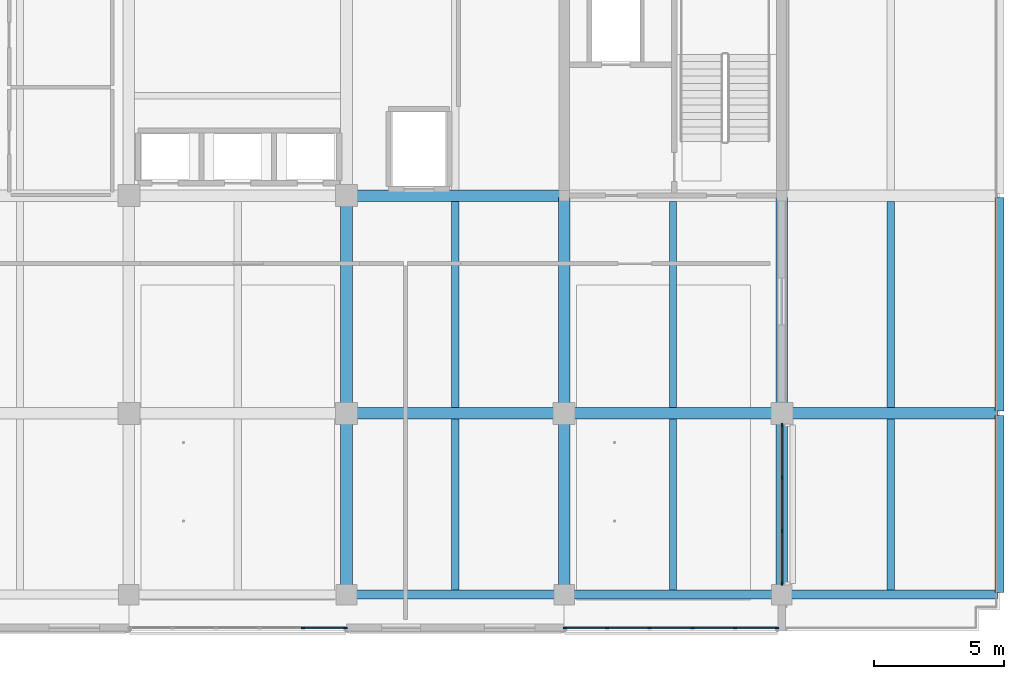
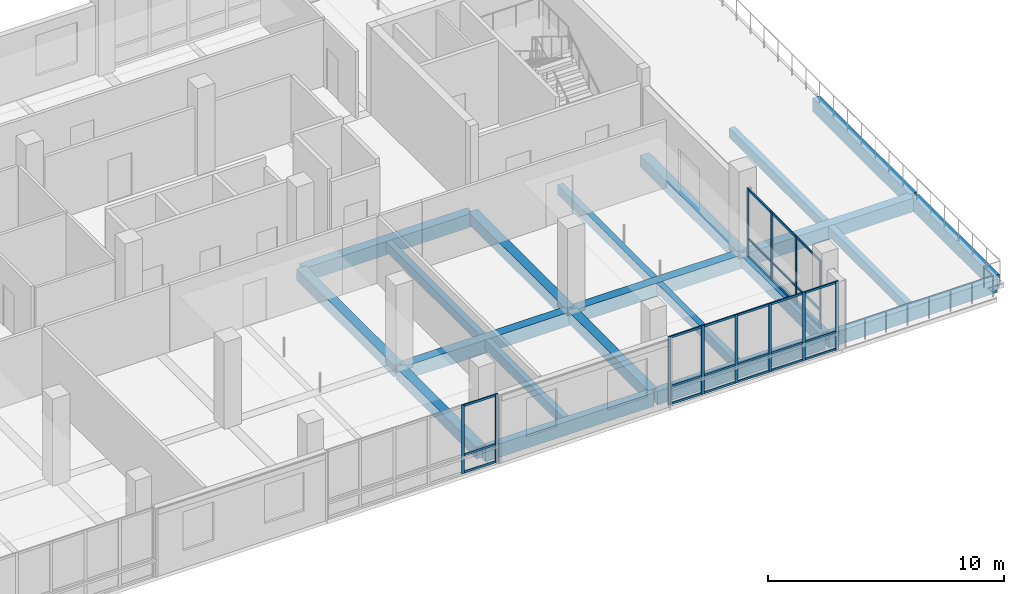
# One storey, part 6 of 36: 39 members, 21 beams, 3 elements without a shape of their own.
"""IFC4 building model written with IfcOpenShell, lengths in metres."""

import ifcopenshell
import ifcopenshell.guid

model = None  # the IFC model being written
_history = None  # IfcOwnerHistory: only IFC2X3 demands one
_inside = {}  # id of a spatial element -> (the spatial element, [elements in it])
_under = {}  # id of a project, library or spatial element -> (it, [spatial elements below it])
_declared = {}  # id of a project -> (the project, [libraries it declares])
_typed = {}  # id of a type object -> (the type object, [elements of that type])
_made_of = {}  # id of a material, layer set ... -> (it, [elements and type objects made of it])


def new_model(schema):
    """Start an empty IFC model of exactly this schema.

    Asked for "IFC4X3", IfcOpenShell would pick the latest addendum, in which some entities
    have other attributes; the version numbers below select the first issue.
    IFC2X3 requires an IfcOwnerHistory on every rooted entity: one is made here for all.
    """
    global model, _history
    if schema == "IFC4X3":
        model = ifcopenshell.file(schema_version=(4, 3, 0, 0))
    else:
        model = ifcopenshell.file(schema=schema)
    _inside.clear()
    _under.clear()
    _declared.clear()
    _typed.clear()
    _made_of.clear()
    _history = None
    if model.schema == "IFC2X3":
        org = make("IfcOrganization", Name="unknown")
        user = make(
            "IfcPersonAndOrganization",
            ThePerson=make("IfcPerson", FamilyName="unknown"),
            TheOrganization=org,
        )
        app = make(
            "IfcApplication",
            ApplicationDeveloper=org,
            Version="unknown",
            ApplicationFullName="unknown",
            ApplicationIdentifier="unknown",
        )
        _history = make(
            "IfcOwnerHistory",
            OwningUser=user,
            OwningApplication=app,
            ChangeAction="ADDED",
            CreationDate=0,
        )
    return model


def make(cls, **values):
    """One entity of the class cls with the attributes given. An attribute that is None is left unset."""
    return model.create_entity(
        cls, **{name: value for name, value in values.items() if value is not None}
    )


def rooted(cls, **values):
    """An entity with a GlobalId (a new one), such as an element, a storey or a relation."""
    return make(cls, GlobalId=ifcopenshell.guid.new(), OwnerHistory=_history, **values)


def si_unit(unit_type, name, prefix=None):
    """IfcSIUnit, for example si_unit("LENGTHUNIT", "METRE", prefix="MILLI")."""
    return make("IfcSIUnit", UnitType=unit_type, Prefix=prefix, Name=name)


def assignment(units):
    """IfcUnitAssignment: the units of a project."""
    return None if units is None else make("IfcUnitAssignment", Units=units)


def point(xyz):
    """IfcCartesianPoint."""
    return None if xyz is None else make("IfcCartesianPoint", Coordinates=xyz)


def direction(xyz):
    """IfcDirection."""
    return None if xyz is None else make("IfcDirection", DirectionRatios=xyz)


def frame(location, z_axis=None, x_axis=None):
    """IfcAxis2Placement3D, a coordinate frame: its origin and axes. An axis left out is left unset."""
    return make(
        "IfcAxis2Placement3D",
        Location=point(location),
        Axis=direction(z_axis),
        RefDirection=direction(x_axis),
    )


def frame_2d(location, x_axis=None):
    """IfcAxis2Placement2D, a coordinate frame in the plane: its origin and x axis."""
    return make(
        "IfcAxis2Placement2D", Location=point(location), RefDirection=direction(x_axis)
    )


def origin():
    """The frame at (0, 0, 0) with its axes left unset."""
    return frame((0.0, 0.0, 0.0))


def origin_2d():
    """The frame at (0, 0) in the plane with its x axis left unset."""
    return frame_2d((0.0, 0.0))


def place(relative_to, where):
    """IfcLocalPlacement: puts the frame where relative to a parent placement (None: the world)."""
    return make(
        "IfcLocalPlacement", PlacementRelTo=relative_to, RelativePlacement=where
    )


def context(
    kind, dimensions, precision=None, world=None, true_north=None, identifier=None
):
    """IfcGeometricRepresentationContext, for example the 3D "Model" context."""
    return make(
        "IfcGeometricRepresentationContext",
        ContextIdentifier=identifier,
        ContextType=kind,
        CoordinateSpaceDimension=dimensions,
        Precision=precision,
        WorldCoordinateSystem=world,
        TrueNorth=true_north,
    )


def subcontext(parent, identifier, kind, view, scale=None):
    """IfcGeometricRepresentationSubContext, for example "Body" below "Model"."""
    return make(
        "IfcGeometricRepresentationSubContext",
        ContextIdentifier=identifier,
        ContextType=kind,
        ParentContext=parent,
        TargetScale=scale,
        TargetView=view,
    )


def project(units=None, contexts=None):
    """IfcProject with its units and contexts."""
    return rooted(
        "IfcProject",
        Name="project",
        RepresentationContexts=contexts,
        UnitsInContext=assignment(units),
    )


def spatial(cls, under=None, at=None, **own):
    """A site, building, storey or space (cls), placed at a placement, below another one or the project."""
    s = rooted(cls, ObjectPlacement=at, **own)
    if under is not None:
        _under.setdefault(under.id(), (under, []))[1].append(s)
    return s


def profile(cls, at=None, kind="AREA", **sizes):
    """A parametric profile (cls). Its sizes go by their IFC names, for example OverallWidth=200.0."""
    return make(cls, ProfileType=kind, Position=at, **sizes)


def rectangle(**sizes):
    """IfcRectangleProfileDef."""
    return profile("IfcRectangleProfileDef", **sizes)


def extrude(swept, where, along, depth):
    """IfcExtrudedAreaSolid: the profile swept, set in the frame where, extruded along a direction by depth."""
    return make(
        "IfcExtrudedAreaSolid",
        SweptArea=swept,
        Position=where,
        ExtrudedDirection=direction(along),
        Depth=depth,
    )


def shape(context_of_items, identifier, shape_type, items):
    """IfcShapeRepresentation: the items that make up one representation, for example the "Body"."""
    return make(
        "IfcShapeRepresentation",
        ContextOfItems=context_of_items,
        RepresentationIdentifier=identifier,
        RepresentationType=shape_type,
        Items=items,
    )


def material(Name=None, Category=None):
    """IfcMaterial."""
    return make("IfcMaterial", Name=Name, Category=Category)


def layer(
    of_material, thickness, ventilated=None, Name=None, Category=None, Priority=None
):
    """IfcMaterialLayer: one layer of a wall or slab, of a material (None: an air gap)."""
    return make(
        "IfcMaterialLayer",
        Material=of_material,
        LayerThickness=thickness,
        IsVentilated=ventilated,
        Name=Name,
        Category=Category,
        Priority=Priority,
    )


def layer_set(layers, Name=None):
    """IfcMaterialLayerSet."""
    return make("IfcMaterialLayerSet", MaterialLayers=layers, LayerSetName=Name)


def material_profile(
    of_material, cross_section, Name=None, Category=None, Priority=None
):
    """IfcMaterialProfile: a cross section and its material."""
    return make(
        "IfcMaterialProfile",
        Name=Name,
        Material=of_material,
        Profile=cross_section,
        Priority=Priority,
        Category=Category,
    )


def profile_set(profiles, Name=None, composite=None):
    """IfcMaterialProfileSet."""
    return make(
        "IfcMaterialProfileSet",
        Name=Name,
        MaterialProfiles=profiles,
        CompositeProfile=composite,
    )


def made_of(thing, what):
    """Note that an element or type object is made of a material, layer set ...; save() writes the relation."""
    if what is not None:
        _made_of.setdefault(what.id(), (what, []))[1].append(thing)
    return thing


def type_object(cls, material=None, **own):
    """A type object (cls), such as IfcWallType, which elements share."""
    return made_of(rooted(cls, **own), material)


def element(
    cls,
    number,
    at=None,
    inside=None,
    cuts=None,
    type_object=None,
    material=None,
    context=None,
    identifier="Body",
    shape_type=None,
    held_by="IfcProductDefinitionShape",
    body=None,
    shapes=None,
    **own,
):
    """One element of the class cls, such as IfcWall. Its Tag is "e" and its number.

    at: its placement. inside: the storey or other place that contains it. cuts: it is an
    opening in that element (IfcRelVoidsElement). A single representation is given by context,
    identifier, shape_type and body (its items); several are given by shapes. held_by: the class
    of the entity that holds the representations. save() writes the other relations.
    """
    e = rooted(cls, Tag="e%d" % number, ObjectPlacement=at, **own)
    if body is not None:
        shapes = [shape(context, identifier, shape_type, body)]
    if shapes is not None:
        e.Representation = make(held_by, Representations=shapes)
    if inside is not None:
        _inside.setdefault(inside.id(), (inside, []))[1].append(e)
    if cuts is not None:
        rooted(
            "IfcRelVoidsElement", RelatingBuildingElement=cuts, RelatedOpeningElement=e
        )
    if type_object is not None:
        _typed.setdefault(type_object.id(), (type_object, []))[1].append(e)
    return made_of(e, material)


def aggregate(whole, parts):
    """IfcRelAggregates: a whole, such as a stair, and the parts it consists of."""
    return rooted("IfcRelAggregates", RelatingObject=whole, RelatedObjects=parts)


def save(model, path):
    """Write the relations noted so far, then the file.

    IfcRelAggregates (storeys below a building ...), IfcRelContainedInSpatialStructure (elements
    in a storey), IfcRelDefinesByType, IfcRelAssociatesMaterial and IfcRelDeclares: one each for
    every whole, place, type object, material and project.
    """
    for whole, parts in _under.values():
        aggregate(whole, parts)
    for where, things in _inside.values():
        rooted(
            "IfcRelContainedInSpatialStructure",
            RelatedElements=things,
            RelatingStructure=where,
        )
    for kind, things in _typed.values():
        rooted("IfcRelDefinesByType", RelatedObjects=things, RelatingType=kind)
    for what, things in _made_of.values():
        rooted("IfcRelAssociatesMaterial", RelatedObjects=things, RelatingMaterial=what)
    for by, libraries in _declared.values():
        rooted("IfcRelDeclares", RelatingContext=by, RelatedDefinitions=libraries)
    model.write(path)


model = new_model("IFC4")

# Units and contexts
model_context = context("Model", 3, precision=1e-05, world=origin(), true_north=direction((0.0, 1.0)))
body_context = subcontext(model_context, "Body", "Model", "MODEL_VIEW")
ifc_project = project(units=[si_unit("LENGTHUNIT", "METRE"), si_unit("AREAUNIT", "SQUARE_METRE"), si_unit("VOLUMEUNIT", "CUBIC_METRE"), si_unit("PLANEANGLEUNIT", "RADIAN"), si_unit("MASSUNIT", "GRAM", prefix="KILO")], contexts=[model_context])

# Site, building, storey
site_placement = place(None, origin())
site = spatial("IfcSite", under=ifc_project, at=site_placement, CompositionType="ELEMENT")
building_placement = place(site_placement, origin())
building = spatial("IfcBuilding", under=site, at=building_placement, Name="Telukmera Botanical Conservatory", CompositionType="ELEMENT")
storey_placement = place(building_placement, frame((0.0, 0.0, 33.0)))
storey = spatial("IfcBuildingStorey", under=building, at=storey_placement, Name="L07", CompositionType="ELEMENT", Elevation=33.0)

# Beams
ifc_material_1 = material(Name="Concrete C40/50", Category="concrete")
ifc_material_profile_1 = material_profile(ifc_material_1, rectangle(XDim=0.449951171875, YDim=0.699951171875, at=origin_2d()), Name="RC 450x700")
ifc_profile_set_1 = profile_set([ifc_material_profile_1], Name="Concrete C40/50")
beam_type_1 = type_object("IfcBeamType", Name="Beam_B15", PredefinedType="BEAM", material=ifc_profile_set_1)
for number, where, z_axis, x_axis, name in (
    (1, (84.080078125, 17.60009765625, -0.35009765625), (1.0, 0.0, 0.0), (0.0, 1.0, 0.0), "Tower Grid Beam L07"),
    (2, (92.47998046875, 17.60009765625, -0.35009765625), (1.0, 0.0, 0.0), (0.0, 1.0, 0.0), "Tower Grid Beam L07"),
):
    element("IfcBeam", number, at=place(storey_placement, frame(where, z_axis=z_axis, x_axis=x_axis)), inside=storey, type_object=beam_type_1, Name=name, PredefinedType="BEAM", context=body_context, shape_type="SweptSolid", body=[
        extrude(rectangle(XDim=0.449951171875, YDim=0.699951171875, at=origin_2d()), origin(), (0.0, 0.0, 1.0), 8.239990234375),
    ])
beam_1_placement = place(storey_placement, frame((100.8798828125, 17.60009765625, -0.35009765625), z_axis=(1.0, 0.0, 0.0), x_axis=(0.0, 1.0, 0.0)))
element("IfcBeam", 3, at=beam_1_placement, inside=storey, type_object=beam_type_1, Name="Tower Grid Beam L07", PredefinedType="BEAM", context=body_context, shape_type="SweptSolid", body=[
    extrude(rectangle(XDim=0.449951171875, YDim=0.699951171875, at=origin_2d()), origin(), (0.0, 0.0, 1.0), 8.240234375),
])
beam_2_placement = place(storey_placement, frame((84.080078125, 26.0, -0.35009765625), z_axis=(1.0, 0.0, 0.0), x_axis=(0.0, 1.0, 0.0)))
element("IfcBeam", 4, at=beam_2_placement, inside=storey, type_object=beam_type_1, Name="Tower Grid Beam L07", PredefinedType="BEAM", context=body_context, shape_type="SweptSolid", body=[
    extrude(rectangle(XDim=0.449951171875, YDim=0.699951171875, at=origin_2d()), origin(), (0.0, 0.0, 1.0), 8.239990234375),
])
ifc_material_profile_2 = material_profile(ifc_material_1, rectangle(XDim=0.449951171875, YDim=0.60009765625, at=origin_2d()), Name="RC 450x600")
ifc_profile_set_2 = profile_set([ifc_material_profile_2], Name="Concrete C40/50")
beam_type_2 = type_object("IfcBeamType", Name="Beam_B17", PredefinedType="BEAM", material=ifc_profile_set_2)
beam_3_placement = place(storey_placement, frame((84.0, 10.679931640625, -0.300048828125), z_axis=(0.0, 1.0, 0.0), x_axis=(-1.0, 0.0, 0.0)))
element("IfcBeam", 5, at=beam_3_placement, inside=storey, type_object=beam_type_2, Name="Tower Transverse Beam L07", PredefinedType="BEAM", context=body_context, shape_type="SweptSolid", body=[
    extrude(rectangle(XDim=0.449951171875, YDim=0.60009765625, at=origin_2d()), origin(), (0.0, 0.0, 1.0), 6.840087890625),
])
beam_4_placement = place(storey_placement, frame((84.0, 17.679931640625, -0.300048828125), z_axis=(0.0, 1.0, 0.0), x_axis=(-1.0, 0.0, 0.0)))
element("IfcBeam", 6, at=beam_4_placement, inside=storey, type_object=beam_type_2, Name="Tower Transverse Beam L07", PredefinedType="BEAM", context=body_context, shape_type="SweptSolid", body=[
    extrude(rectangle(XDim=0.449951171875, YDim=0.60009765625, at=origin_2d()), origin(), (0.0, 0.0, 1.0), 8.239990234375),
])
beam_5_placement = place(storey_placement, frame((92.39990234375, 10.679931640625, -0.300048828125), z_axis=(0.0, 1.0, 0.0), x_axis=(-1.0, 0.0, 0.0)))
element("IfcBeam", 7, at=beam_5_placement, inside=storey, type_object=beam_type_2, Name="Tower Transverse Beam L07", PredefinedType="BEAM", context=body_context, shape_type="SweptSolid", body=[
    extrude(rectangle(XDim=0.449951171875, YDim=0.60009765625, at=origin_2d()), origin(), (0.0, 0.0, 1.0), 6.840087890625),
])
beam_6_placement = place(storey_placement, frame((92.39990234375, 17.679931640625, -0.300048828125), z_axis=(0.0, 1.0, 0.0), x_axis=(-1.0, 0.0, 0.0)))
element("IfcBeam", 8, at=beam_6_placement, inside=storey, type_object=beam_type_2, Name="Tower Transverse Beam L07", PredefinedType="BEAM", context=body_context, shape_type="SweptSolid", body=[
    extrude(rectangle(XDim=0.449951171875, YDim=0.60009765625, at=origin_2d()), origin(), (0.0, 0.0, 1.0), 8.239990234375),
])
beam_7_placement = place(storey_placement, frame((100.800048828125, 10.679931640625, -0.300048828125), z_axis=(0.0, 1.0, 0.0), x_axis=(-1.0, 0.0, 0.0)))
element("IfcBeam", 9, at=beam_7_placement, inside=storey, type_object=beam_type_2, Name="Tower Transverse Beam L07", PredefinedType="BEAM", context=body_context, shape_type="SweptSolid", body=[
    extrude(rectangle(XDim=0.449951171875, YDim=0.60009765625, at=origin_2d()), origin(), (0.0, 0.0, 1.0), 6.840087890625),
])
beam_8_placement = place(storey_placement, frame((100.800048828125, 17.679931640625, -0.300048828125), z_axis=(0.0, 1.0, 0.0), x_axis=(-1.0, 0.0, 0.0)))
element("IfcBeam", 10, at=beam_8_placement, inside=storey, type_object=beam_type_2, Name="Tower Transverse Beam L07", PredefinedType="BEAM", context=body_context, shape_type="SweptSolid", body=[
    extrude(rectangle(XDim=0.449951171875, YDim=0.60009765625, at=origin_2d()), origin(), (0.0, 0.0, 1.0), 8.239990234375),
])
ifc_material_profile_3 = material_profile(ifc_material_1, rectangle(XDim=0.280029296875, YDim=0.5, at=origin_2d()), Name="RC 280x500")
ifc_profile_set_3 = profile_set([ifc_material_profile_3], Name="Concrete C40/50")
beam_type_3 = type_object("IfcBeamType", Name="Beam_B26", PredefinedType="JOIST", material=ifc_profile_set_3)
beam_9_placement = place(storey_placement, frame((88.199951171875, 10.77490234375, -0.25), z_axis=(0.0, 1.0, 0.0), x_axis=(-1.0, 0.0, 0.0)))
element("IfcBeam", 11, at=beam_9_placement, inside=storey, type_object=beam_type_3, Name="Tower Secondary Floor Joist L07", PredefinedType="JOIST", context=body_context, shape_type="SweptSolid", body=[
    extrude(rectangle(XDim=0.280029296875, YDim=0.5, at=origin_2d()), origin(), (0.0, 0.0, 1.0), 6.60009765625),
])
beam_10_placement = place(storey_placement, frame((88.199951171875, 17.824951171875, -0.25), z_axis=(0.0, 1.0, 0.0), x_axis=(-1.0, 0.0, 0.0)))
element("IfcBeam", 12, at=beam_10_placement, inside=storey, type_object=beam_type_3, Name="Tower Secondary Floor Joist L07", PredefinedType="JOIST", context=body_context, shape_type="SweptSolid", body=[
    extrude(rectangle(XDim=0.280029296875, YDim=0.5, at=origin_2d()), origin(), (0.0, 0.0, 1.0), 7.949951171875),
])
beam_11_placement = place(storey_placement, frame((96.60009765625, 10.77490234375, -0.25), z_axis=(0.0, 1.0, 0.0), x_axis=(-1.0, 0.0, 0.0)))
element("IfcBeam", 13, at=beam_11_placement, inside=storey, type_object=beam_type_3, Name="Tower Secondary Floor Joist L07", PredefinedType="JOIST", context=body_context, shape_type="SweptSolid", body=[
    extrude(rectangle(XDim=0.280029296875, YDim=0.5, at=origin_2d()), origin(), (0.0, 0.0, 1.0), 6.60009765625),
])
beam_12_placement = place(storey_placement, frame((96.60009765625, 17.824951171875, -0.25), z_axis=(0.0, 1.0, 0.0), x_axis=(-1.0, 0.0, 0.0)))
element("IfcBeam", 14, at=beam_12_placement, inside=storey, type_object=beam_type_3, Name="Tower Secondary Floor Joist L07", PredefinedType="JOIST", context=body_context, shape_type="SweptSolid", body=[
    extrude(rectangle(XDim=0.280029296875, YDim=0.5, at=origin_2d()), origin(), (0.0, 0.0, 1.0), 7.949951171875),
])
beam_13_placement = place(storey_placement, frame((105.0, 10.77490234375, -0.25), z_axis=(0.0, 1.0, 0.0), x_axis=(-1.0, 0.0, 0.0)))
element("IfcBeam", 15, at=beam_13_placement, inside=storey, type_object=beam_type_3, Name="Tower Secondary Floor Joist L07", PredefinedType="JOIST", context=body_context, shape_type="SweptSolid", body=[
    extrude(rectangle(XDim=0.280029296875, YDim=0.5, at=origin_2d()), origin(), (0.0, 0.0, 1.0), 6.60009765625),
])
beam_14_placement = place(storey_placement, frame((105.0, 17.824951171875, -0.25), z_axis=(0.0, 1.0, 0.0), x_axis=(-1.0, 0.0, 0.0)))
element("IfcBeam", 16, at=beam_14_placement, inside=storey, type_object=beam_type_3, Name="Tower Secondary Floor Joist L07", PredefinedType="JOIST", context=body_context, shape_type="SweptSolid", body=[
    extrude(rectangle(XDim=0.280029296875, YDim=0.5, at=origin_2d()), origin(), (0.0, 0.0, 1.0), 7.949951171875),
])
ifc_material_2 = material(Name="Precast concrete C40/50", Category="concrete")
ifc_material_profile_4 = material_profile(ifc_material_2, rectangle(XDim=0.35009765625, YDim=0.699951171875, at=origin_2d()), Name="PC 350x700")
ifc_profile_set_4 = profile_set([ifc_material_profile_4], Name="Precast concrete C40/50")
beam_type_4 = type_object("IfcBeamType", Name="Beam_SP2", PredefinedType="SPANDREL", material=ifc_profile_set_4)
for number, where, z_axis, x_axis, name in (
    (17, (84.080078125, 10.60009765625, -0.35009765625), (1.0, 0.0, 0.0), (0.0, 1.0, 0.0), "Tower Grid Beam L07"),
    (18, (92.47998046875, 10.60009765625, -0.35009765625), (1.0, 0.0, 0.0), (0.0, 1.0, 0.0), "Tower Grid Beam L07"),
):
    element("IfcBeam", number, at=place(storey_placement, frame(where, z_axis=z_axis, x_axis=x_axis)), inside=storey, type_object=beam_type_4, Name=name, PredefinedType="SPANDREL", context=body_context, shape_type="SweptSolid", body=[
        extrude(rectangle(XDim=0.35009765625, YDim=0.699951171875, at=origin_2d()), origin(), (0.0, 0.0, 1.0), 8.239990234375),
    ])
beam_15_placement = place(storey_placement, frame((100.8798828125, 10.60009765625, -0.35009765625), z_axis=(1.0, 0.0, 0.0), x_axis=(0.0, 1.0, 0.0)))
element("IfcBeam", 19, at=beam_15_placement, inside=storey, type_object=beam_type_4, Name="Tower Grid Beam L07", PredefinedType="SPANDREL", context=body_context, shape_type="SweptSolid", body=[
    extrude(rectangle(XDim=0.35009765625, YDim=0.699951171875, at=origin_2d()), origin(), (0.0, 0.0, 1.0), 8.240234375),
])
beam_16_placement = place(storey_placement, frame((109.199951171875, 10.679931640625, -0.35009765625), z_axis=(0.0, 1.0, 0.0), x_axis=(-1.0, 0.0, 0.0)))
element("IfcBeam", 20, at=beam_16_placement, inside=storey, type_object=beam_type_4, Name="Tower Transverse Beam L07", PredefinedType="SPANDREL", context=body_context, shape_type="SweptSolid", body=[
    extrude(rectangle(XDim=0.35009765625, YDim=0.699951171875, at=origin_2d()), origin(), (0.0, 0.0, 1.0), 6.840087890625),
])
beam_17_placement = place(storey_placement, frame((109.199951171875, 17.679931640625, -0.35009765625), z_axis=(0.0, 1.0, 0.0), x_axis=(-1.0, 0.0, 0.0)))
element("IfcBeam", 21, at=beam_17_placement, inside=storey, type_object=beam_type_4, Name="Tower Transverse Beam L07", PredefinedType="SPANDREL", context=body_context, shape_type="SweptSolid", body=[
    extrude(rectangle(XDim=0.35009765625, YDim=0.699951171875, at=origin_2d()), origin(), (0.0, 0.0, 1.0), 8.239990234375),
])

# Curtain wall, members
ifc_material_3 = material(Name="Anodised aluminium 6063-T6", Category="aluminium")
ifc_layer = layer(ifc_material_3, 0.179931640625)
ifc_layer_set = layer_set([ifc_layer], Name="Anodised aluminium 6063-T6")
curtain_wall_type = type_object("IfcCurtainWallType", Name="Tower Research Laboratory Unitised Curtain Wall", PredefinedType="USERDEFINED", material=ifc_layer_set)
curtain_wall_1_placement = place(storey_placement, origin())
curtain_wall_1 = element("IfcCurtainWall", 22, at=curtain_wall_1_placement, inside=storey, type_object=curtain_wall_type, Name="Unitised Curtain Wall CW15 V4:L07:S4", ObjectType="UNITISED CURTAIN WALL", PredefinedType="USERDEFINED")
ifc_material_profile_5 = material_profile(ifc_material_3, rectangle(XDim=0.06005859375, YDim=0.139892578125, at=origin_2d()), Name="ALU MULL 60x140")
ifc_profile_set_5 = profile_set([ifc_material_profile_5], Name="Anodised aluminium 6063-T6")
member_type_1 = type_object("IfcMemberType", Name="Curtain Wall Extruded Mullion 60x140", PredefinedType="MULLION", material=ifc_profile_set_5)
member_1_placement = place(storey_placement, frame((82.31884765625, 9.320068359375, 0.0), z_axis=(0.0, 0.0, 1.0), x_axis=(0.0, 1.0, 0.0)))
member_1 = element("IfcMember", 23, at=member_1_placement, type_object=member_type_1, Name="CW15 mullion 5", PredefinedType="MULLION", context=body_context, shape_type="SweptSolid", body=[
    extrude(rectangle(XDim=0.06005859375, YDim=0.139892578125, at=origin_2d()), origin(), (0.0, 0.0, 1.0), 3.550048828125),
])
member_2_placement = place(storey_placement, frame((83.968017578125, 9.320068359375, 0.0), z_axis=(0.0, 0.0, 1.0), x_axis=(0.0, 1.0, 0.0)))
member_2 = element("IfcMember", 24, at=member_2_placement, type_object=member_type_1, Name="CW15 mullion 6", PredefinedType="MULLION", context=body_context, shape_type="SweptSolid", body=[
    extrude(rectangle(XDim=0.06005859375, YDim=0.139892578125, at=origin_2d()), origin(), (0.0, 0.0, 1.0), 3.550048828125),
])

curtain_wall_2_placement = place(storey_placement, origin())
curtain_wall_2 = element("IfcCurtainWall", 25, at=curtain_wall_2_placement, inside=storey, type_object=curtain_wall_type, Name="Unitised Curtain Wall CW15 V4:L07:S6", ObjectType="UNITISED CURTAIN WALL", PredefinedType="USERDEFINED")
member_3_placement = place(storey_placement, frame((92.431884765625, 9.320068359375, 0.0), z_axis=(0.0, 0.0, 1.0), x_axis=(0.0, 1.0, 0.0)))
member_3 = element("IfcMember", 26, at=member_3_placement, type_object=member_type_1, Name="CW15 mullion 1", PredefinedType="MULLION", context=body_context, shape_type="SweptSolid", body=[
    extrude(rectangle(XDim=0.06005859375, YDim=0.139892578125, at=origin_2d()), origin(), (0.0, 0.0, 1.0), 3.550048828125),
])
member_4_placement = place(storey_placement, frame((94.05126953125, 9.320068359375, 0.0), z_axis=(0.0, 0.0, 1.0), x_axis=(0.0, 1.0, 0.0)))
member_4 = element("IfcMember", 27, at=member_4_placement, type_object=member_type_1, Name="CW15 mullion 2", PredefinedType="MULLION", context=body_context, shape_type="SweptSolid", body=[
    extrude(rectangle(XDim=0.06005859375, YDim=0.139892578125, at=origin_2d()), origin(), (0.0, 0.0, 1.0), 3.550048828125),
])
member_5_placement = place(storey_placement, frame((95.700439453125, 9.320068359375, 0.0), z_axis=(0.0, 0.0, 1.0), x_axis=(0.0, 1.0, 0.0)))
member_5 = element("IfcMember", 28, at=member_5_placement, type_object=member_type_1, Name="CW15 mullion 3", PredefinedType="MULLION", context=body_context, shape_type="SweptSolid", body=[
    extrude(rectangle(XDim=0.06005859375, YDim=0.139892578125, at=origin_2d()), origin(), (0.0, 0.0, 1.0), 3.550048828125),
])
member_6_placement = place(storey_placement, frame((97.349609375, 9.320068359375, 0.0), z_axis=(0.0, 0.0, 1.0), x_axis=(0.0, 1.0, 0.0)))
member_6 = element("IfcMember", 29, at=member_6_placement, type_object=member_type_1, Name="CW15 mullion 4", PredefinedType="MULLION", context=body_context, shape_type="SweptSolid", body=[
    extrude(rectangle(XDim=0.06005859375, YDim=0.139892578125, at=origin_2d()), origin(), (0.0, 0.0, 1.0), 3.550048828125),
])
member_7_placement = place(storey_placement, frame((98.998779296875, 9.320068359375, 0.0), z_axis=(0.0, 0.0, 1.0), x_axis=(0.0, 1.0, 0.0)))
member_7 = element("IfcMember", 30, at=member_7_placement, type_object=member_type_1, Name="CW15 mullion 5", PredefinedType="MULLION", context=body_context, shape_type="SweptSolid", body=[
    extrude(rectangle(XDim=0.06005859375, YDim=0.139892578125, at=origin_2d()), origin(), (0.0, 0.0, 1.0), 3.550048828125),
])
member_8_placement = place(storey_placement, frame((100.617919921875, 9.320068359375, 0.0), z_axis=(0.0, 0.0, 1.0), x_axis=(0.0, 1.0, 0.0)))
member_8 = element("IfcMember", 31, at=member_8_placement, type_object=member_type_1, Name="CW15 mullion 6", PredefinedType="MULLION", context=body_context, shape_type="SweptSolid", body=[
    extrude(rectangle(XDim=0.06005859375, YDim=0.139892578125, at=origin_2d()), origin(), (0.0, 0.0, 1.0), 3.550048828125),
])

curtain_wall_3_placement = place(storey_placement, origin())
curtain_wall_3 = element("IfcCurtainWall", 32, at=curtain_wall_3_placement, inside=storey, type_object=curtain_wall_type, Name="Unitised Curtain Wall CW15 V4:L07:E1", ObjectType="UNITISED CURTAIN WALL", PredefinedType="USERDEFINED")
member_9_placement = place(storey_placement, frame((100.800048828125, 11.031982421875, 0.0), z_axis=(0.0, 0.0, 1.0), x_axis=(-1.0, 0.0, 0.0)))
member_9 = element("IfcMember", 33, at=member_9_placement, type_object=member_type_1, Name="CW15 mullion 1", PredefinedType="MULLION", context=body_context, shape_type="SweptSolid", body=[
    extrude(rectangle(XDim=0.06005859375, YDim=0.139892578125, at=origin_2d()), origin(), (0.0, 0.0, 1.0), 3.550048828125),
])
member_10_placement = place(storey_placement, frame((100.800048828125, 13.05908203125, 0.0), z_axis=(0.0, 0.0, 1.0), x_axis=(-1.0, 0.0, 0.0)))
member_10 = element("IfcMember", 34, at=member_10_placement, type_object=member_type_1, Name="CW15 mullion 2", PredefinedType="MULLION", context=body_context, shape_type="SweptSolid", body=[
    extrude(rectangle(XDim=0.06005859375, YDim=0.139892578125, at=origin_2d()), origin(), (0.0, 0.0, 1.0), 3.550048828125),
])
member_11_placement = place(storey_placement, frame((100.800048828125, 15.115966796875, 0.0), z_axis=(0.0, 0.0, 1.0), x_axis=(-1.0, 0.0, 0.0)))
member_11 = element("IfcMember", 35, at=member_11_placement, type_object=member_type_1, Name="CW15 mullion 3", PredefinedType="MULLION", context=body_context, shape_type="SweptSolid", body=[
    extrude(rectangle(XDim=0.06005859375, YDim=0.139892578125, at=origin_2d()), origin(), (0.0, 0.0, 1.0), 3.550048828125),
])
member_12_placement = place(storey_placement, frame((100.800048828125, 17.14306640625, 0.0), z_axis=(0.0, 0.0, 1.0), x_axis=(-1.0, 0.0, 0.0)))
member_12 = element("IfcMember", 36, at=member_12_placement, type_object=member_type_1, Name="CW15 mullion 4", PredefinedType="MULLION", context=body_context, shape_type="SweptSolid", body=[
    extrude(rectangle(XDim=0.06005859375, YDim=0.139892578125, at=origin_2d()), origin(), (0.0, 0.0, 1.0), 3.550048828125),
])

# Member
ifc_material_profile_6 = material_profile(ifc_material_3, rectangle(XDim=0.06005859375, YDim=0.110107421875, at=origin_2d()), Name="ALU TRAN 60x110")
ifc_profile_set_6 = profile_set([ifc_material_profile_6], Name="Anodised aluminium 6063-T6")
member_type_2 = type_object("IfcMemberType", Name="Curtain Wall Extruded Transom 60x110", PredefinedType="USERDEFINED", material=ifc_profile_set_6)
member_13_placement = place(storey_placement, frame((82.348876953125, 9.320068359375, 0.054931640625), z_axis=(1.0, 0.0, 0.0), x_axis=(0.0, 1.0, 0.0)))
member_13 = element("IfcMember", 37, at=member_13_placement, type_object=member_type_2, Name="CW15 transom 5.1", ObjectType="TRANSOM", PredefinedType="USERDEFINED", context=body_context, shape_type="SweptSolid", body=[
    extrude(rectangle(XDim=0.06005859375, YDim=0.110107421875, at=origin_2d()), origin(), (0.0, 0.0, 1.0), 1.589111328125),
])

member_14_placement = place(storey_placement, frame((82.348876953125, 9.320068359375, 0.949951171875), z_axis=(1.0, 0.0, 0.0), x_axis=(0.0, 1.0, 0.0)))
member_14 = element("IfcMember", 38, at=member_14_placement, type_object=member_type_2, Name="CW15 transom 5.2", ObjectType="TRANSOM", PredefinedType="USERDEFINED", context=body_context, shape_type="SweptSolid", body=[
    extrude(rectangle(XDim=0.06005859375, YDim=0.110107421875, at=origin_2d()), origin(), (0.0, 0.0, 1.0), 1.589111328125),
])

member_15_placement = place(storey_placement, frame((82.348876953125, 9.320068359375, 3.4951171875), z_axis=(1.0, 0.0, 0.0), x_axis=(0.0, 1.0, 0.0)))
member_15 = element("IfcMember", 39, at=member_15_placement, type_object=member_type_2, Name="CW15 transom 5.3", ObjectType="TRANSOM", PredefinedType="USERDEFINED", context=body_context, shape_type="SweptSolid", body=[
    extrude(rectangle(XDim=0.06005859375, YDim=0.110107421875, at=origin_2d()), origin(), (0.0, 0.0, 1.0), 1.589111328125),
])

aggregate(curtain_wall_1, [member_1, member_2, member_13, member_14, member_15])

member_16_placement = place(storey_placement, frame((92.4619140625, 9.320068359375, 0.054931640625), z_axis=(1.0, 0.0, 0.0), x_axis=(0.0, 1.0, 0.0)))
member_16 = element("IfcMember", 40, at=member_16_placement, type_object=member_type_2, Name="CW15 transom 1.1", ObjectType="TRANSOM", PredefinedType="USERDEFINED", context=body_context, shape_type="SweptSolid", body=[
    extrude(rectangle(XDim=0.06005859375, YDim=0.110107421875, at=origin_2d()), origin(), (0.0, 0.0, 1.0), 1.559326171875),
])

member_17_placement = place(storey_placement, frame((92.4619140625, 9.320068359375, 0.949951171875), z_axis=(1.0, 0.0, 0.0), x_axis=(0.0, 1.0, 0.0)))
member_17 = element("IfcMember", 41, at=member_17_placement, type_object=member_type_2, Name="CW15 transom 1.2", ObjectType="TRANSOM", PredefinedType="USERDEFINED", context=body_context, shape_type="SweptSolid", body=[
    extrude(rectangle(XDim=0.06005859375, YDim=0.110107421875, at=origin_2d()), origin(), (0.0, 0.0, 1.0), 1.559326171875),
])

member_18_placement = place(storey_placement, frame((92.4619140625, 9.320068359375, 3.4951171875), z_axis=(1.0, 0.0, 0.0), x_axis=(0.0, 1.0, 0.0)))
member_18 = element("IfcMember", 42, at=member_18_placement, type_object=member_type_2, Name="CW15 transom 1.3", ObjectType="TRANSOM", PredefinedType="USERDEFINED", context=body_context, shape_type="SweptSolid", body=[
    extrude(rectangle(XDim=0.06005859375, YDim=0.110107421875, at=origin_2d()), origin(), (0.0, 0.0, 1.0), 1.559326171875),
])

member_19_placement = place(storey_placement, frame((94.081298828125, 9.320068359375, 0.054931640625), z_axis=(1.0, 0.0, 0.0), x_axis=(0.0, 1.0, 0.0)))
member_19 = element("IfcMember", 43, at=member_19_placement, type_object=member_type_2, Name="CW15 transom 2.1", ObjectType="TRANSOM", PredefinedType="USERDEFINED", context=body_context, shape_type="SweptSolid", body=[
    extrude(rectangle(XDim=0.06005859375, YDim=0.110107421875, at=origin_2d()), origin(), (0.0, 0.0, 1.0), 1.589111328125),
])

member_20_placement = place(storey_placement, frame((94.081298828125, 9.320068359375, 0.949951171875), z_axis=(1.0, 0.0, 0.0), x_axis=(0.0, 1.0, 0.0)))
member_20 = element("IfcMember", 44, at=member_20_placement, type_object=member_type_2, Name="CW15 transom 2.2", ObjectType="TRANSOM", PredefinedType="USERDEFINED", context=body_context, shape_type="SweptSolid", body=[
    extrude(rectangle(XDim=0.06005859375, YDim=0.110107421875, at=origin_2d()), origin(), (0.0, 0.0, 1.0), 1.589111328125),
])

member_21_placement = place(storey_placement, frame((94.081298828125, 9.320068359375, 3.4951171875), z_axis=(1.0, 0.0, 0.0), x_axis=(0.0, 1.0, 0.0)))
member_21 = element("IfcMember", 45, at=member_21_placement, type_object=member_type_2, Name="CW15 transom 2.3", ObjectType="TRANSOM", PredefinedType="USERDEFINED", context=body_context, shape_type="SweptSolid", body=[
    extrude(rectangle(XDim=0.06005859375, YDim=0.110107421875, at=origin_2d()), origin(), (0.0, 0.0, 1.0), 1.589111328125),
])

member_22_placement = place(storey_placement, frame((95.73046875, 9.320068359375, 0.054931640625), z_axis=(1.0, 0.0, 0.0), x_axis=(0.0, 1.0, 0.0)))
member_22 = element("IfcMember", 46, at=member_22_placement, type_object=member_type_2, Name="CW15 transom 3.1", ObjectType="TRANSOM", PredefinedType="USERDEFINED", context=body_context, shape_type="SweptSolid", body=[
    extrude(rectangle(XDim=0.06005859375, YDim=0.110107421875, at=origin_2d()), origin(), (0.0, 0.0, 1.0), 1.589111328125),
])

member_23_placement = place(storey_placement, frame((95.73046875, 9.320068359375, 0.949951171875), z_axis=(1.0, 0.0, 0.0), x_axis=(0.0, 1.0, 0.0)))
member_23 = element("IfcMember", 47, at=member_23_placement, type_object=member_type_2, Name="CW15 transom 3.2", ObjectType="TRANSOM", PredefinedType="USERDEFINED", context=body_context, shape_type="SweptSolid", body=[
    extrude(rectangle(XDim=0.06005859375, YDim=0.110107421875, at=origin_2d()), origin(), (0.0, 0.0, 1.0), 1.589111328125),
])

member_24_placement = place(storey_placement, frame((95.73046875, 9.320068359375, 3.4951171875), z_axis=(1.0, 0.0, 0.0), x_axis=(0.0, 1.0, 0.0)))
member_24 = element("IfcMember", 48, at=member_24_placement, type_object=member_type_2, Name="CW15 transom 3.3", ObjectType="TRANSOM", PredefinedType="USERDEFINED", context=body_context, shape_type="SweptSolid", body=[
    extrude(rectangle(XDim=0.06005859375, YDim=0.110107421875, at=origin_2d()), origin(), (0.0, 0.0, 1.0), 1.589111328125),
])

member_25_placement = place(storey_placement, frame((97.379638671875, 9.320068359375, 0.054931640625), z_axis=(1.0, 0.0, 0.0), x_axis=(0.0, 1.0, 0.0)))
member_25 = element("IfcMember", 49, at=member_25_placement, type_object=member_type_2, Name="CW15 transom 4.1", ObjectType="TRANSOM", PredefinedType="USERDEFINED", context=body_context, shape_type="SweptSolid", body=[
    extrude(rectangle(XDim=0.06005859375, YDim=0.110107421875, at=origin_2d()), origin(), (0.0, 0.0, 1.0), 1.589111328125),
])

member_26_placement = place(storey_placement, frame((97.379638671875, 9.320068359375, 0.949951171875), z_axis=(1.0, 0.0, 0.0), x_axis=(0.0, 1.0, 0.0)))
member_26 = element("IfcMember", 50, at=member_26_placement, type_object=member_type_2, Name="CW15 transom 4.2", ObjectType="TRANSOM", PredefinedType="USERDEFINED", context=body_context, shape_type="SweptSolid", body=[
    extrude(rectangle(XDim=0.06005859375, YDim=0.110107421875, at=origin_2d()), origin(), (0.0, 0.0, 1.0), 1.589111328125),
])

member_27_placement = place(storey_placement, frame((97.379638671875, 9.320068359375, 3.4951171875), z_axis=(1.0, 0.0, 0.0), x_axis=(0.0, 1.0, 0.0)))
member_27 = element("IfcMember", 51, at=member_27_placement, type_object=member_type_2, Name="CW15 transom 4.3", ObjectType="TRANSOM", PredefinedType="USERDEFINED", context=body_context, shape_type="SweptSolid", body=[
    extrude(rectangle(XDim=0.06005859375, YDim=0.110107421875, at=origin_2d()), origin(), (0.0, 0.0, 1.0), 1.589111328125),
])

member_28_placement = place(storey_placement, frame((99.02880859375, 9.320068359375, 0.054931640625), z_axis=(1.0, 0.0, 0.0), x_axis=(0.0, 1.0, 0.0)))
member_28 = element("IfcMember", 52, at=member_28_placement, type_object=member_type_2, Name="CW15 transom 5.1", ObjectType="TRANSOM", PredefinedType="USERDEFINED", context=body_context, shape_type="SweptSolid", body=[
    extrude(rectangle(XDim=0.06005859375, YDim=0.110107421875, at=origin_2d()), origin(), (0.0, 0.0, 1.0), 1.55908203125),
])

member_29_placement = place(storey_placement, frame((99.02880859375, 9.320068359375, 0.949951171875), z_axis=(1.0, 0.0, 0.0), x_axis=(0.0, 1.0, 0.0)))
member_29 = element("IfcMember", 53, at=member_29_placement, type_object=member_type_2, Name="CW15 transom 5.2", ObjectType="TRANSOM", PredefinedType="USERDEFINED", context=body_context, shape_type="SweptSolid", body=[
    extrude(rectangle(XDim=0.06005859375, YDim=0.110107421875, at=origin_2d()), origin(), (0.0, 0.0, 1.0), 1.55908203125),
])

member_30_placement = place(storey_placement, frame((99.02880859375, 9.320068359375, 3.4951171875), z_axis=(1.0, 0.0, 0.0), x_axis=(0.0, 1.0, 0.0)))
member_30 = element("IfcMember", 54, at=member_30_placement, type_object=member_type_2, Name="CW15 transom 5.3", ObjectType="TRANSOM", PredefinedType="USERDEFINED", context=body_context, shape_type="SweptSolid", body=[
    extrude(rectangle(XDim=0.06005859375, YDim=0.110107421875, at=origin_2d()), origin(), (0.0, 0.0, 1.0), 1.55908203125),
])

aggregate(curtain_wall_2, [member_3, member_4, member_5, member_6, member_7, member_8, member_16, member_17, member_18, member_19, member_20, member_21, member_22, member_23, member_24, member_25, member_26, member_27, member_28, member_29, member_30])

member_31_placement = place(storey_placement, frame((100.800048828125, 11.06201171875, 0.054931640625), z_axis=(0.0, 1.0, 0.0), x_axis=(-1.0, 0.0, 0.0)))
member_31 = element("IfcMember", 55, at=member_31_placement, type_object=member_type_2, Name="CW15 transom 1.1", ObjectType="TRANSOM", PredefinedType="USERDEFINED", context=body_context, shape_type="SweptSolid", body=[
    extrude(rectangle(XDim=0.06005859375, YDim=0.110107421875, at=origin_2d()), origin(), (0.0, 0.0, 1.0), 1.967041015625),
])

member_32_placement = place(storey_placement, frame((100.800048828125, 11.06201171875, 0.949951171875), z_axis=(0.0, 1.0, 0.0), x_axis=(-1.0, 0.0, 0.0)))
member_32 = element("IfcMember", 56, at=member_32_placement, type_object=member_type_2, Name="CW15 transom 1.2", ObjectType="TRANSOM", PredefinedType="USERDEFINED", context=body_context, shape_type="SweptSolid", body=[
    extrude(rectangle(XDim=0.06005859375, YDim=0.110107421875, at=origin_2d()), origin(), (0.0, 0.0, 1.0), 1.967041015625),
])

member_33_placement = place(storey_placement, frame((100.800048828125, 11.06201171875, 3.4951171875), z_axis=(0.0, 1.0, 0.0), x_axis=(-1.0, 0.0, 0.0)))
member_33 = element("IfcMember", 57, at=member_33_placement, type_object=member_type_2, Name="CW15 transom 1.3", ObjectType="TRANSOM", PredefinedType="USERDEFINED", context=body_context, shape_type="SweptSolid", body=[
    extrude(rectangle(XDim=0.06005859375, YDim=0.110107421875, at=origin_2d()), origin(), (0.0, 0.0, 1.0), 1.967041015625),
])

member_34_placement = place(storey_placement, frame((100.800048828125, 13.089111328125, 0.054931640625), z_axis=(0.0, 1.0, 0.0), x_axis=(-1.0, 0.0, 0.0)))
member_34 = element("IfcMember", 58, at=member_34_placement, type_object=member_type_2, Name="CW15 transom 2.1", ObjectType="TRANSOM", PredefinedType="USERDEFINED", context=body_context, shape_type="SweptSolid", body=[
    extrude(rectangle(XDim=0.06005859375, YDim=0.110107421875, at=origin_2d()), origin(), (0.0, 0.0, 1.0), 1.996826171875),
])

member_35_placement = place(storey_placement, frame((100.800048828125, 13.089111328125, 0.949951171875), z_axis=(0.0, 1.0, 0.0), x_axis=(-1.0, 0.0, 0.0)))
member_35 = element("IfcMember", 59, at=member_35_placement, type_object=member_type_2, Name="CW15 transom 2.2", ObjectType="TRANSOM", PredefinedType="USERDEFINED", context=body_context, shape_type="SweptSolid", body=[
    extrude(rectangle(XDim=0.06005859375, YDim=0.110107421875, at=origin_2d()), origin(), (0.0, 0.0, 1.0), 1.996826171875),
])

member_36_placement = place(storey_placement, frame((100.800048828125, 13.089111328125, 3.4951171875), z_axis=(0.0, 1.0, 0.0), x_axis=(-1.0, 0.0, 0.0)))
member_36 = element("IfcMember", 60, at=member_36_placement, type_object=member_type_2, Name="CW15 transom 2.3", ObjectType="TRANSOM", PredefinedType="USERDEFINED", context=body_context, shape_type="SweptSolid", body=[
    extrude(rectangle(XDim=0.06005859375, YDim=0.110107421875, at=origin_2d()), origin(), (0.0, 0.0, 1.0), 1.996826171875),
])

member_37_placement = place(storey_placement, frame((100.800048828125, 15.14599609375, 0.054931640625), z_axis=(0.0, 1.0, 0.0), x_axis=(-1.0, 0.0, 0.0)))
member_37 = element("IfcMember", 61, at=member_37_placement, type_object=member_type_2, Name="CW15 transom 3.1", ObjectType="TRANSOM", PredefinedType="USERDEFINED", context=body_context, shape_type="SweptSolid", body=[
    extrude(rectangle(XDim=0.06005859375, YDim=0.110107421875, at=origin_2d()), origin(), (0.0, 0.0, 1.0), 1.967041015625),
])

member_38_placement = place(storey_placement, frame((100.800048828125, 15.14599609375, 0.949951171875), z_axis=(0.0, 1.0, 0.0), x_axis=(-1.0, 0.0, 0.0)))
member_38 = element("IfcMember", 62, at=member_38_placement, type_object=member_type_2, Name="CW15 transom 3.2", ObjectType="TRANSOM", PredefinedType="USERDEFINED", context=body_context, shape_type="SweptSolid", body=[
    extrude(rectangle(XDim=0.06005859375, YDim=0.110107421875, at=origin_2d()), origin(), (0.0, 0.0, 1.0), 1.967041015625),
])

member_39_placement = place(storey_placement, frame((100.800048828125, 15.14599609375, 3.4951171875), z_axis=(0.0, 1.0, 0.0), x_axis=(-1.0, 0.0, 0.0)))
member_39 = element("IfcMember", 63, at=member_39_placement, type_object=member_type_2, Name="CW15 transom 3.3", ObjectType="TRANSOM", PredefinedType="USERDEFINED", context=body_context, shape_type="SweptSolid", body=[
    extrude(rectangle(XDim=0.06005859375, YDim=0.110107421875, at=origin_2d()), origin(), (0.0, 0.0, 1.0), 1.967041015625),
])

aggregate(curtain_wall_3, [member_9, member_10, member_11, member_12, member_31, member_32, member_33, member_34, member_35, member_36, member_37, member_38, member_39])

save(model, "model.ifc")
